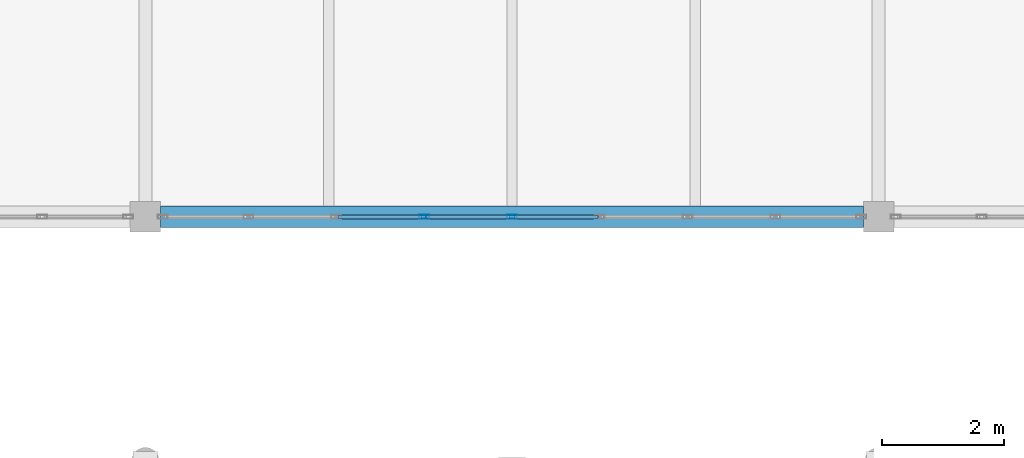
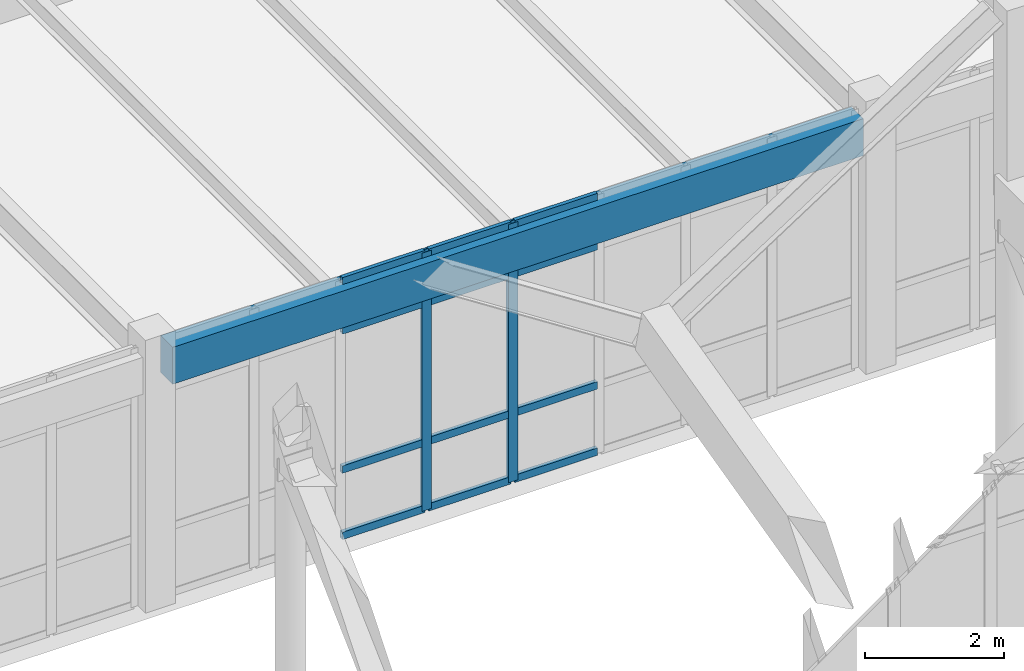
# One storey, part 92 of 236: 14 members, 1 beam, 1 element without a shape of its own.
"""IFC4 building model written with IfcOpenShell, lengths in metres."""

from ifc_helpers import new_model, si_unit, direction, frame, origin, origin_2d, place, context, subcontext, project, spatial, rectangle, hollow_rectangle, extrude, material, layer, layer_set, material_profile, profile_set, type_object, element, aggregate, save


model = new_model("IFC4")

# Units and contexts
model_context = context("Model", 3, precision=1e-05, world=origin(), true_north=direction((0.0, 1.0)))
body_context = subcontext(model_context, "Body", "Model", "MODEL_VIEW")
ifc_project = project(units=[si_unit("LENGTHUNIT", "METRE"), si_unit("AREAUNIT", "SQUARE_METRE"), si_unit("VOLUMEUNIT", "CUBIC_METRE"), si_unit("PLANEANGLEUNIT", "RADIAN"), si_unit("MASSUNIT", "GRAM", prefix="KILO")], contexts=[model_context])

# Site, building, storey
site_placement = place(None, origin())
site = spatial("IfcSite", under=ifc_project, at=site_placement, CompositionType="ELEMENT")
building_placement = place(site_placement, origin())
building = spatial("IfcBuilding", under=site, at=building_placement, Name="Pandanus Reach Market Hall", CompositionType="ELEMENT")
storey_placement = place(building_placement, frame((0.0, 0.0, 5.39990234375)))
storey = spatial("IfcBuildingStorey", under=building, at=storey_placement, Name="L01", CompositionType="ELEMENT", Elevation=5.39990234375)

# Beam
ifc_material_1 = material(Name="Concrete N40 (40 MPa)", Category="concrete")
ifc_material_profile_1 = material_profile(ifc_material_1, rectangle(XDim=0.35009765625, YDim=0.64990234375, at=origin_2d()), Name="RC350x650", Category="LoadBearing")
ifc_profile_set_1 = profile_set([ifc_material_profile_1], Name="Concrete N40 (40 MPa)")
beam_type = type_object("IfcBeamType", Name="BM-RC350-E", PredefinedType="SPANDREL", material=ifc_profile_set_1)
beam_placement = place(storey_placement, frame((72.248046875, 96.0, 4.135009765625), z_axis=(1.0, 0.0, 0.0), x_axis=(0.0, 1.0, 0.0)))
element("IfcBeam", 1, at=beam_placement, inside=storey, type_object=beam_type, Name="Framing beam BM-RC350-E L01.849", PredefinedType="SPANDREL", context=body_context, shape_type="SweptSolid", body=[
    extrude(rectangle(XDim=0.35009765625, YDim=0.64990234375, at=origin_2d()), origin(), (0.0, 0.0, 1.0), 11.50390625),
])

# Curtain wall, members
ifc_material_2 = material(Name="Bronze anodised aluminium and low-E glass", Category="aluminium")
ifc_layer = layer(ifc_material_2, 0.159912109375, Name="CW-38")
ifc_layer_set = layer_set([ifc_layer], Name="Bronze anodised aluminium and low-E glass")
curtain_wall_type = type_object("IfcCurtainWallType", Name="CW-38", PredefinedType="NOTDEFINED", material=ifc_layer_set)
curtain_wall_placement = place(storey_placement, origin())
curtain_wall = element("IfcCurtainWall", 2, at=curtain_wall_placement, inside=storey, type_object=curtain_wall_type, Name="Glazed curtain wall CW-38 CW-0136", PredefinedType="NOTDEFINED")
ifc_material_3 = material(Name="Bronze anodised aluminium", Category="aluminium")
ifc_material_profile_2 = material_profile(ifc_material_3, hollow_rectangle(XDim=0.06494140625, YDim=0.159912109375, WallThickness=0.00390625, at=origin_2d()), Name="ALU65x160", Category="LoadBearing")
ifc_profile_set_2 = profile_set([ifc_material_profile_2], Name="Bronze anodised aluminium")
member_type_1 = type_object("IfcMemberType", Name="CW-M1", PredefinedType="MULLION", material=ifc_profile_set_2)
member_1_placement = place(storey_placement, frame((76.5625, 96.0, 0.0), z_axis=(0.0, 0.0, 1.0), x_axis=(0.0, 1.0, 0.0)))
member_1 = element("IfcMember", 3, at=member_1_placement, type_object=member_type_1, Name="CW-38 mullion 4", PredefinedType="MULLION", context=body_context, shape_type="SweptSolid", body=[
    extrude(hollow_rectangle(XDim=0.06494140625, YDim=0.159912109375, WallThickness=0.00390625, at=origin_2d()), origin(), (0.0, 0.0, 1.0), 4.550048828125),
])
member_2_placement = place(storey_placement, frame((78.0, 96.0, 0.0), z_axis=(0.0, 0.0, 1.0), x_axis=(0.0, 1.0, 0.0)))
member_2 = element("IfcMember", 4, at=member_2_placement, type_object=member_type_1, Name="CW-38 mullion 5", PredefinedType="MULLION", context=body_context, shape_type="SweptSolid", body=[
    extrude(hollow_rectangle(XDim=0.06494140625, YDim=0.159912109375, WallThickness=0.00390625, at=origin_2d()), origin(), (0.0, 0.0, 1.0), 4.550048828125),
])
ifc_material_profile_3 = material_profile(ifc_material_3, hollow_rectangle(XDim=0.06494140625, YDim=0.1298828125, WallThickness=0.00390625, at=origin_2d()), Name="ALU65x130", Category="LoadBearing")
ifc_profile_set_3 = profile_set([ifc_material_profile_3], Name="Bronze anodised aluminium")
member_type_2 = type_object("IfcMemberType", Name="CW-T1", PredefinedType="USERDEFINED", material=ifc_profile_set_3)
member_3_placement = place(storey_placement, frame((75.157470703125, 96.0, 0.03271484375), z_axis=(1.0, 0.0, 0.0), x_axis=(0.0, 1.0, 0.0)))
member_3 = element("IfcMember", 5, at=member_3_placement, type_object=member_type_2, Name="CW-38 transom 3.1", ObjectType="TRANSOM", PredefinedType="USERDEFINED", context=body_context, shape_type="SweptSolid", body=[
    extrude(hollow_rectangle(XDim=0.06494140625, YDim=0.1298828125, WallThickness=0.00390625, at=origin_2d()), origin(), (0.0, 0.0, 1.0), 1.37255859375),
])
member_4_placement = place(storey_placement, frame((75.157470703125, 96.0, 1.2001953125), z_axis=(1.0, 0.0, 0.0), x_axis=(0.0, 1.0, 0.0)))
member_4 = element("IfcMember", 6, at=member_4_placement, type_object=member_type_2, Name="CW-38 transom 3.2", ObjectType="TRANSOM", PredefinedType="USERDEFINED", context=body_context, shape_type="SweptSolid", body=[
    extrude(hollow_rectangle(XDim=0.06494140625, YDim=0.1298828125, WallThickness=0.00390625, at=origin_2d()), origin(), (0.0, 0.0, 1.0), 1.37255859375),
])
member_5_placement = place(storey_placement, frame((75.157470703125, 96.0, 3.650146484375), z_axis=(1.0, 0.0, 0.0), x_axis=(0.0, 1.0, 0.0)))
member_5 = element("IfcMember", 7, at=member_5_placement, type_object=member_type_2, Name="CW-38 transom 3.3", ObjectType="TRANSOM", PredefinedType="USERDEFINED", context=body_context, shape_type="SweptSolid", body=[
    extrude(hollow_rectangle(XDim=0.06494140625, YDim=0.1298828125, WallThickness=0.00390625, at=origin_2d()), origin(), (0.0, 0.0, 1.0), 1.37255859375),
])
member_6_placement = place(storey_placement, frame((75.157470703125, 96.0, 4.517578125), z_axis=(1.0, 0.0, 0.0), x_axis=(0.0, 1.0, 0.0)))
member_6 = element("IfcMember", 8, at=member_6_placement, type_object=member_type_2, Name="CW-38 transom 3.4", ObjectType="TRANSOM", PredefinedType="USERDEFINED", context=body_context, shape_type="SweptSolid", body=[
    extrude(hollow_rectangle(XDim=0.06494140625, YDim=0.1298828125, WallThickness=0.00390625, at=origin_2d()), origin(), (0.0, 0.0, 1.0), 1.37255859375),
])
member_7_placement = place(storey_placement, frame((76.594970703125, 96.0, 0.03271484375), z_axis=(1.0, 0.0, 0.0), x_axis=(0.0, 1.0, 0.0)))
member_7 = element("IfcMember", 9, at=member_7_placement, type_object=member_type_2, Name="CW-38 transom 4.1", ObjectType="TRANSOM", PredefinedType="USERDEFINED", context=body_context, shape_type="SweptSolid", body=[
    extrude(hollow_rectangle(XDim=0.06494140625, YDim=0.1298828125, WallThickness=0.00390625, at=origin_2d()), origin(), (0.0, 0.0, 1.0), 1.37255859375),
])
member_8_placement = place(storey_placement, frame((76.594970703125, 96.0, 1.2001953125), z_axis=(1.0, 0.0, 0.0), x_axis=(0.0, 1.0, 0.0)))
member_8 = element("IfcMember", 10, at=member_8_placement, type_object=member_type_2, Name="CW-38 transom 4.2", ObjectType="TRANSOM", PredefinedType="USERDEFINED", context=body_context, shape_type="SweptSolid", body=[
    extrude(hollow_rectangle(XDim=0.06494140625, YDim=0.1298828125, WallThickness=0.00390625, at=origin_2d()), origin(), (0.0, 0.0, 1.0), 1.37255859375),
])
member_9_placement = place(storey_placement, frame((76.594970703125, 96.0, 3.650146484375), z_axis=(1.0, 0.0, 0.0), x_axis=(0.0, 1.0, 0.0)))
member_9 = element("IfcMember", 11, at=member_9_placement, type_object=member_type_2, Name="CW-38 transom 4.3", ObjectType="TRANSOM", PredefinedType="USERDEFINED", context=body_context, shape_type="SweptSolid", body=[
    extrude(hollow_rectangle(XDim=0.06494140625, YDim=0.1298828125, WallThickness=0.00390625, at=origin_2d()), origin(), (0.0, 0.0, 1.0), 1.37255859375),
])
member_10_placement = place(storey_placement, frame((76.594970703125, 96.0, 4.517578125), z_axis=(1.0, 0.0, 0.0), x_axis=(0.0, 1.0, 0.0)))
member_10 = element("IfcMember", 12, at=member_10_placement, type_object=member_type_2, Name="CW-38 transom 4.4", ObjectType="TRANSOM", PredefinedType="USERDEFINED", context=body_context, shape_type="SweptSolid", body=[
    extrude(hollow_rectangle(XDim=0.06494140625, YDim=0.1298828125, WallThickness=0.00390625, at=origin_2d()), origin(), (0.0, 0.0, 1.0), 1.37255859375),
])
member_11_placement = place(storey_placement, frame((78.032470703125, 96.0, 0.03271484375), z_axis=(1.0, 0.0, 0.0), x_axis=(0.0, 1.0, 0.0)))
member_11 = element("IfcMember", 13, at=member_11_placement, type_object=member_type_2, Name="CW-38 transom 5.1", ObjectType="TRANSOM", PredefinedType="USERDEFINED", context=body_context, shape_type="SweptSolid", body=[
    extrude(hollow_rectangle(XDim=0.06494140625, YDim=0.1298828125, WallThickness=0.00390625, at=origin_2d()), origin(), (0.0, 0.0, 1.0), 1.37255859375),
])
member_12_placement = place(storey_placement, frame((78.032470703125, 96.0, 1.2001953125), z_axis=(1.0, 0.0, 0.0), x_axis=(0.0, 1.0, 0.0)))
member_12 = element("IfcMember", 14, at=member_12_placement, type_object=member_type_2, Name="CW-38 transom 5.2", ObjectType="TRANSOM", PredefinedType="USERDEFINED", context=body_context, shape_type="SweptSolid", body=[
    extrude(hollow_rectangle(XDim=0.06494140625, YDim=0.1298828125, WallThickness=0.00390625, at=origin_2d()), origin(), (0.0, 0.0, 1.0), 1.37255859375),
])
member_13_placement = place(storey_placement, frame((78.032470703125, 96.0, 3.650146484375), z_axis=(1.0, 0.0, 0.0), x_axis=(0.0, 1.0, 0.0)))
member_13 = element("IfcMember", 15, at=member_13_placement, type_object=member_type_2, Name="CW-38 transom 5.3", ObjectType="TRANSOM", PredefinedType="USERDEFINED", context=body_context, shape_type="SweptSolid", body=[
    extrude(hollow_rectangle(XDim=0.06494140625, YDim=0.1298828125, WallThickness=0.00390625, at=origin_2d()), origin(), (0.0, 0.0, 1.0), 1.37255859375),
])
member_14_placement = place(storey_placement, frame((78.032470703125, 96.0, 4.517578125), z_axis=(1.0, 0.0, 0.0), x_axis=(0.0, 1.0, 0.0)))
member_14 = element("IfcMember", 16, at=member_14_placement, type_object=member_type_2, Name="CW-38 transom 5.4", ObjectType="TRANSOM", PredefinedType="USERDEFINED", context=body_context, shape_type="SweptSolid", body=[
    extrude(hollow_rectangle(XDim=0.06494140625, YDim=0.1298828125, WallThickness=0.00390625, at=origin_2d()), origin(), (0.0, 0.0, 1.0), 1.37255859375),
])
aggregate(curtain_wall, [member_1, member_2, member_3, member_4, member_5, member_6, member_7, member_8, member_9, member_10, member_11, member_12, member_13, member_14])

save(model, "model.ifc")
